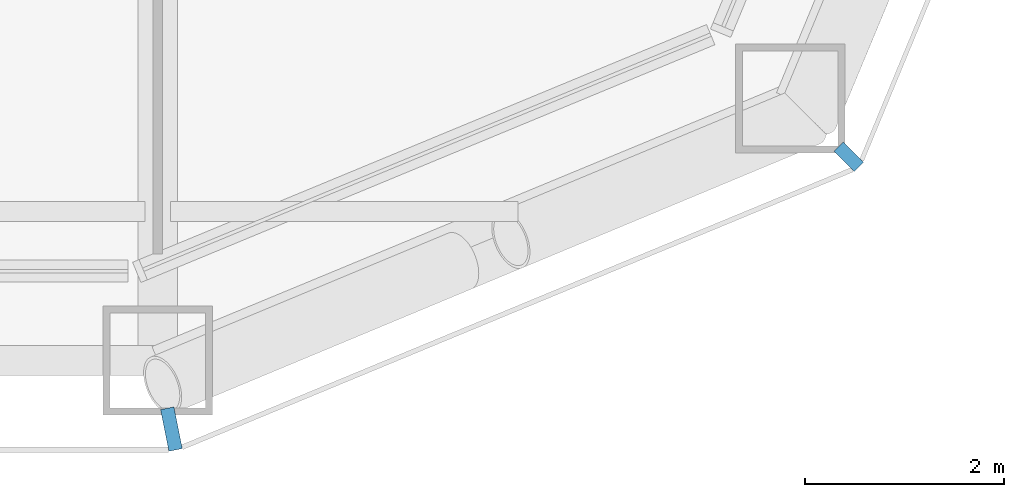
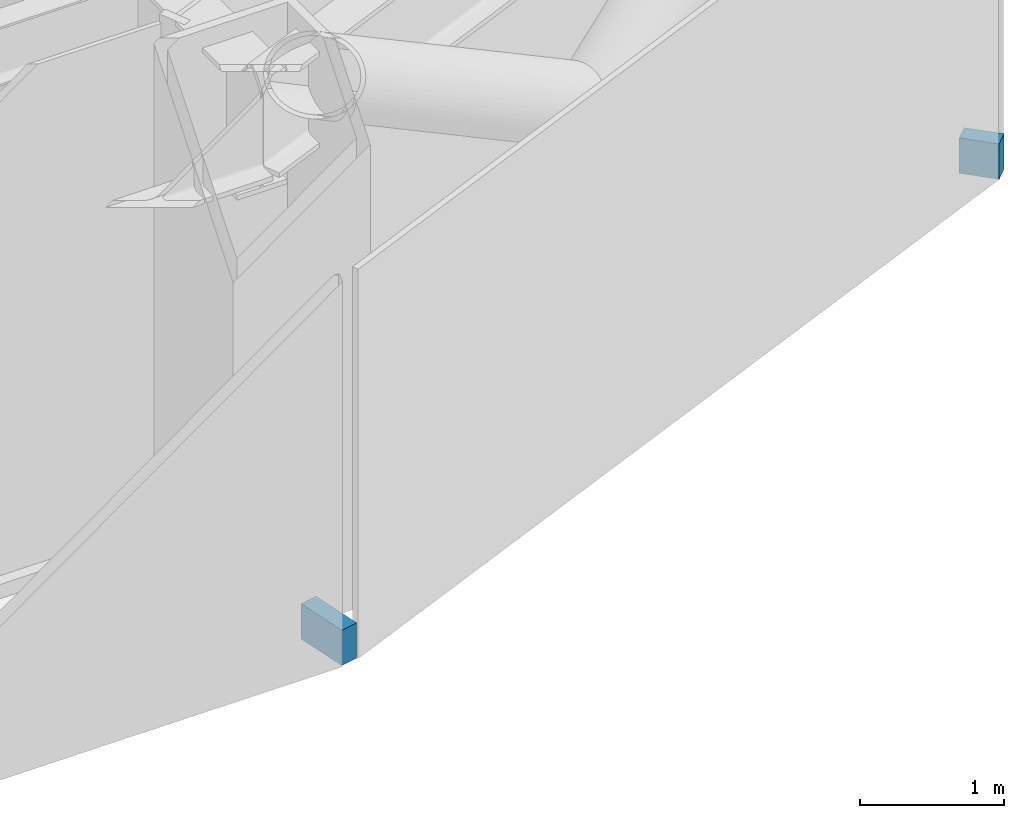
# One storey, part 18 of 30: 2 discrete accessories.
"""IFC4 building model written with IfcOpenShell, lengths in metres."""

from ifc_helpers import new_model, si_unit, direction, frame, origin, origin_2d, place, context, subcontext, project, spatial, rectangle, extrude, material, type_object, element, save


model = new_model("IFC4")

# Units and contexts
model_context = context("Model", 3, precision=1e-05, world=origin(), true_north=direction((0.0, 1.0)))
body_context = subcontext(model_context, "Body", "Model", "MODEL_VIEW")
ifc_project = project(units=[si_unit("LENGTHUNIT", "METRE"), si_unit("AREAUNIT", "SQUARE_METRE"), si_unit("VOLUMEUNIT", "CUBIC_METRE"), si_unit("PLANEANGLEUNIT", "RADIAN"), si_unit("MASSUNIT", "GRAM", prefix="KILO")], contexts=[model_context])

# Site, building, storey
site_placement = place(None, origin())
site = spatial("IfcSite", under=ifc_project, at=site_placement, CompositionType="ELEMENT")
building_placement = place(site_placement, origin())
building = spatial("IfcBuilding", under=site, at=building_placement, Name="Siwar Civic Tower", CompositionType="ELEMENT")
storey_placement = place(building_placement, frame((0.0, 0.0, 44.699951171875)))
storey = spatial("IfcBuildingStorey", under=building, at=storey_placement, Name="L09", CompositionType="ELEMENT", Elevation=44.699951171875)

# Discrete accessories
ifc_material = material(Name="Stainless steel 316", Category="steel")
discrete_accessory_type = type_object("IfcDiscreteAccessoryType", Name="ENV-BRACKET", PredefinedType="BRACKET", material=ifc_material)
discrete_accessory_1_placement = place(storey_placement, frame((22.63720703125, -32.190185546875, -0.14990234375), z_axis=(0.0, 0.0, 1.0), x_axis=(0.195090322016, -0.980785280403, 0.0)))
element("IfcDiscreteAccessory", 1, at=discrete_accessory_1_placement, inside=storey, type_object=discrete_accessory_type, Name="Bracket outer skin joint V01", PredefinedType="BRACKET", context=body_context, shape_type="SweptSolid", body=[
    extrude(rectangle(XDim=0.427734375, YDim=0.13720703125, at=origin_2d()), origin(), (0.0, 0.0, 1.0), 0.300048828125),
])
discrete_accessory_2_placement = place(storey_placement, frame((29.451416015625, -29.451416015625, -0.14990234375), z_axis=(0.0, 0.0, 1.0), x_axis=(0.707106781187, -0.707106781187, 0.0)))
element("IfcDiscreteAccessory", 2, at=discrete_accessory_2_placement, inside=storey, type_object=discrete_accessory_type, Name="Bracket outer skin joint V02", PredefinedType="BRACKET", context=body_context, shape_type="SweptSolid", body=[
    extrude(rectangle(XDim=0.287109375, YDim=0.12939453125, at=origin_2d()), origin(), (0.0, 0.0, 1.0), 0.300048828125),
])

save(model, "model.ifc")
